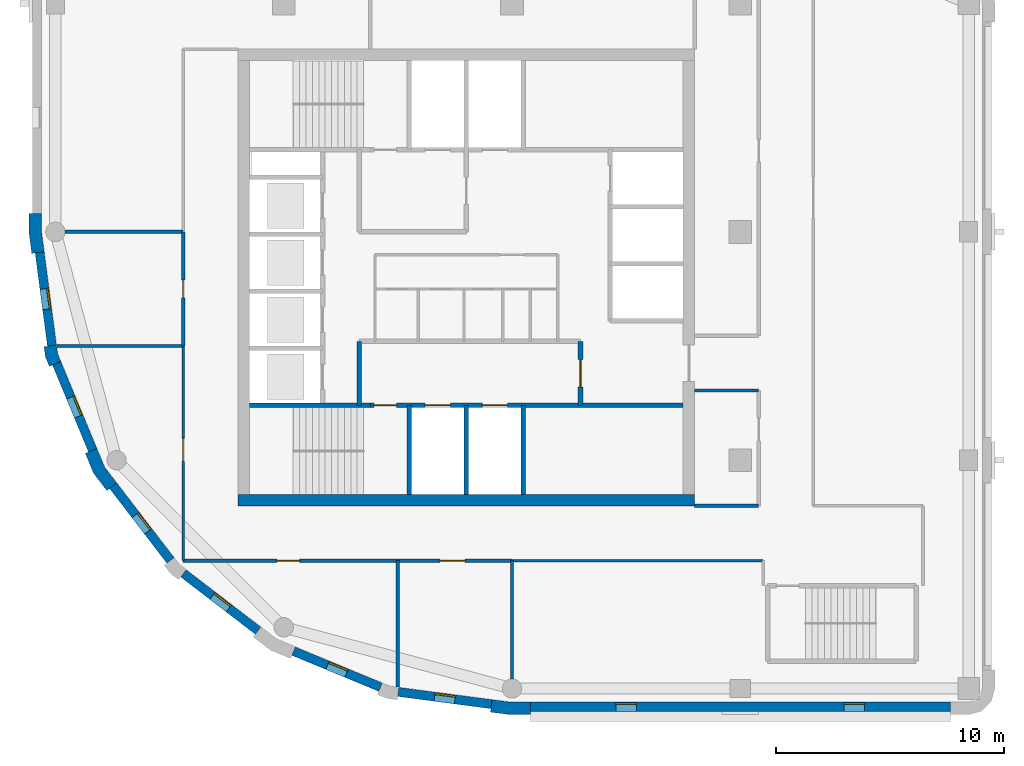
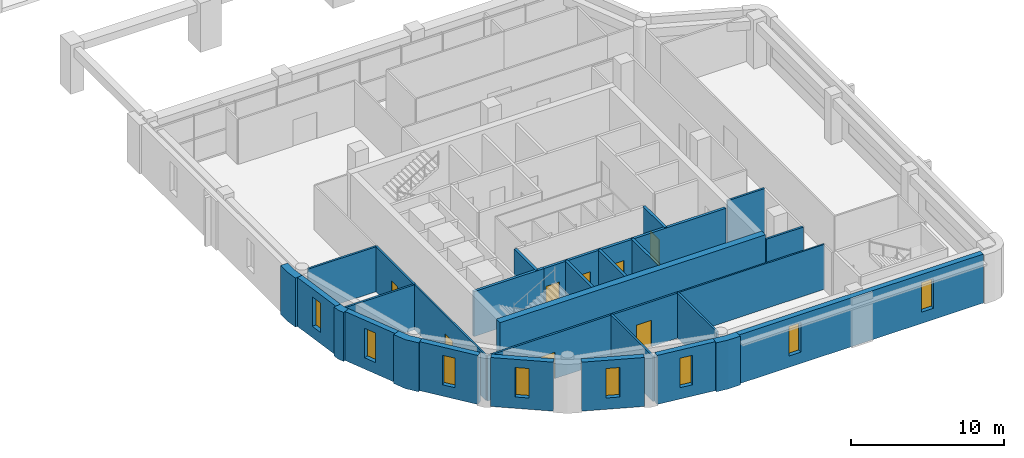
# One storey, part 5 of 11: 29 walls, 8 doors, 8 windows, 16 openings.
"""IFC4 building model written with IfcOpenShell, lengths in metres."""

from ifc_helpers import new_model, si_unit, direction, frame, frame_2d, origin, place, context, subcontext, project, spatial, polyline, rectangle, outline, extrude, material, layer, layer_set, type_object, element, fill, save


model = new_model("IFC4")

# Units and contexts
model_context = context("Model", 3, precision=1e-05, world=origin(), true_north=direction((0.0, 1.0)))
body_context = subcontext(model_context, "Body", "Model", "MODEL_VIEW")
ifc_project = project(units=[si_unit("LENGTHUNIT", "METRE"), si_unit("AREAUNIT", "SQUARE_METRE"), si_unit("VOLUMEUNIT", "CUBIC_METRE"), si_unit("PLANEANGLEUNIT", "RADIAN"), si_unit("MASSUNIT", "GRAM", prefix="KILO")], contexts=[model_context])

# Site, building, storey
site_placement = place(None, origin())
site = spatial("IfcSite", under=ifc_project, at=site_placement, CompositionType="ELEMENT")
building_placement = place(site_placement, origin())
building = spatial("IfcBuilding", under=site, at=building_placement, Name="Qaws Garden Tower", CompositionType="ELEMENT")
storey_placement = place(building_placement, frame((0.0, 0.0, 325.5)))
storey = spatial("IfcBuildingStorey", under=building, at=storey_placement, Name="L79", CompositionType="ELEMENT", Elevation=325.5)

# Wall, openings, windows
ifc_material_1 = material(Name="Clay facing brick masonry", Category="masonry")
ifc_layer_1 = layer(ifc_material_1, 0.39990234375)
ifc_layer_set_1 = layer_set([ifc_layer_1], Name="Clay facing brick masonry")
wall_type_1 = type_object("IfcWallType", Name="Brick infill wall 400", PredefinedType="SOLIDWALL", material=ifc_layer_set_1)
wall_1_placement = place(storey_placement, frame((20.800048828125, -0.800048828125, 0.0), z_axis=(0.0, 0.0, 1.0), x_axis=(1.0, 0.0, 0.0)))
wall_1 = element("IfcWall", 1, at=wall_1_placement, inside=storey, type_object=wall_type_1, Name="E-L79-infill-00", PredefinedType="SOLIDWALL", context=body_context, shape_type="SweptSolid", body=[
    extrude(rectangle(XDim=18.39990234375, YDim=0.39990234375, at=frame_2d((9.199951171875, 0.0))), origin(), (0.0, 0.0, 1.0), 3.89990234375),
])
opening_1_placement = place(wall_1_placement, frame((3.75, 0.0, 0.89990234375)))
opening_1 = element("IfcOpeningElement", 2, at=opening_1_placement, cuts=wall_1, Name="Opening W09", PredefinedType="OPENING", context=body_context, shape_type="SweptSolid", body=[
    extrude(rectangle(XDim=0.89990234375, YDim=2.35009765625, at=frame_2d((0.449951171875, 1.175048828125))), frame((0.0, 0.2099609375, 0.0), z_axis=(0.0, -1.0, 0.0), x_axis=(1.0, 0.0, 0.0)), (0.0, 0.0, 1.0), 0.419921875),
])
opening_2_placement = place(wall_1_placement, frame((13.75, 0.0, 0.89990234375)))
opening_2 = element("IfcOpeningElement", 3, at=opening_2_placement, cuts=wall_1, Name="Opening W09", PredefinedType="OPENING", context=body_context, shape_type="SweptSolid", body=[
    extrude(rectangle(XDim=0.89990234375, YDim=2.35009765625, at=frame_2d((0.449951171875, 1.175048828125))), frame((0.0, 0.2099609375, 0.0), z_axis=(0.0, -1.0, 0.0), x_axis=(1.0, 0.0, 0.0)), (0.0, 0.0, 1.0), 0.419921875),
])
ifc_material_2 = material(Name="Aluminium framed window, clear glazing", Category="aluminium")
window_type = type_object("IfcWindowType", Name="Slit window 900 x 2350", PartitioningType="SINGLE_PANEL", PredefinedType="WINDOW", material=ifc_material_2)
window_1_placement = place(opening_1_placement, origin())
window_1 = element("IfcWindow", 4, at=window_1_placement, inside=storey, type_object=window_type, Name="E-L79-window-00-0", OverallHeight=2.35009765625, OverallWidth=0.89990234375, PartitioningType="SINGLE_PANEL", PredefinedType="WINDOW", context=body_context, shape_type="SweptSolid", body=[
    extrude(rectangle(XDim=0.89990234375, YDim=2.35009765625, at=frame_2d((0.449951171875, 1.175048828125))), frame((0.0, 0.159912109375, 0.0), z_axis=(0.0, -1.0, 0.0), x_axis=(1.0, 0.0, 0.0)), (0.0, 0.0, 1.0), 0.06005859375),
])
fill(opening_1, window_1)
window_2_placement = place(opening_2_placement, origin())
window_2 = element("IfcWindow", 5, at=window_2_placement, inside=storey, type_object=window_type, Name="E-L79-window-01-0", OverallHeight=2.35009765625, OverallWidth=0.89990234375, PartitioningType="SINGLE_PANEL", PredefinedType="WINDOW", context=body_context, shape_type="SweptSolid", body=[
    extrude(rectangle(XDim=0.89990234375, YDim=2.35009765625, at=frame_2d((0.449951171875, 1.175048828125))), frame((0.0, 0.159912109375, 0.0), z_axis=(0.0, -1.0, 0.0), x_axis=(1.0, 0.0, 0.0)), (0.0, 0.0, 1.0), 0.06005859375),
])
fill(opening_2, window_2)

# Wall, opening, window
wall_2_placement = place(storey_placement, frame((-0.688720703125, 19.102294921875, 0.0), z_axis=(0.0, 0.0, 1.0), x_axis=(0.130514280502, -0.991446429508, 0.0)))
wall_2 = element("IfcWall", 6, at=wall_2_placement, inside=storey, type_object=wall_type_1, Name="E-L79-infill-21", PredefinedType="SOLIDWALL", context=body_context, shape_type="SweptSolid", body=[
    extrude(rectangle(XDim=4.120849609375, YDim=0.39990234375, at=frame_2d((2.060546875, 0.0))), origin(), (0.0, 0.0, 1.0), 3.89990234375),
])
opening_3_placement = place(wall_2_placement, frame((1.610595703125, 0.0, 0.89990234375)))
opening_3 = element("IfcOpeningElement", 7, at=opening_3_placement, cuts=wall_2, Name="Opening W09", PredefinedType="OPENING", context=body_context, shape_type="SweptSolid", body=[
    extrude(rectangle(XDim=0.89990234375, YDim=2.35009765625, at=frame_2d((0.449951171875, 1.175048828125))), frame((0.0, 0.2099609375, 0.0), z_axis=(0.0, -1.0, 0.0), x_axis=(1.0, 0.0, 0.0)), (0.0, 0.0, 1.0), 0.419921875),
])
window_3_placement = place(opening_3_placement, origin())
window_3 = element("IfcWindow", 8, at=window_3_placement, inside=storey, type_object=window_type, Name="E-L79-window-21-0", OverallHeight=2.35009765625, OverallWidth=0.89990234375, PartitioningType="SINGLE_PANEL", PredefinedType="WINDOW", context=body_context, shape_type="SweptSolid", body=[
    extrude(rectangle(XDim=0.89990234375, YDim=2.35009765625, at=frame_2d((0.449951171875, 1.175048828125))), frame((0.0, 0.159912109375, 0.0), z_axis=(0.0, -1.0, 0.0), x_axis=(1.0, 0.0, 0.0)), (0.0, 0.0, 1.0), 0.06005859375),
])
fill(opening_3, window_3)

wall_3_placement = place(storey_placement, frame((0.05712890625, 14.240234375, 0.0), z_axis=(0.0, 0.0, 1.0), x_axis=(0.382721546029, -0.923863744394, 0.0)))
wall_3 = element("IfcWall", 9, at=wall_3_placement, inside=storey, type_object=wall_type_1, Name="E-L79-infill-22", PredefinedType="SOLIDWALL", context=body_context, shape_type="SweptSolid", body=[
    extrude(rectangle(XDim=4.120849609375, YDim=0.39990234375, at=frame_2d((2.060546875, 0.0))), origin(), (0.0, 0.0, 1.0), 3.89990234375),
])
opening_4_placement = place(wall_3_placement, frame((1.610595703125, 0.0, 0.89990234375)))
opening_4 = element("IfcOpeningElement", 10, at=opening_4_placement, cuts=wall_3, Name="Opening W09", PredefinedType="OPENING", context=body_context, shape_type="SweptSolid", body=[
    extrude(rectangle(XDim=0.89990234375, YDim=2.35009765625, at=frame_2d((0.449951171875, 1.175048828125))), frame((0.0, 0.2099609375, 0.0), z_axis=(0.0, -1.0, 0.0), x_axis=(1.0, 0.0, 0.0)), (0.0, 0.0, 1.0), 0.419921875),
])
window_4_placement = place(opening_4_placement, origin())
window_4 = element("IfcWindow", 11, at=window_4_placement, inside=storey, type_object=window_type, Name="E-L79-window-22-0", OverallHeight=2.35009765625, OverallWidth=0.89990234375, PartitioningType="SINGLE_PANEL", PredefinedType="WINDOW", context=body_context, shape_type="SweptSolid", body=[
    extrude(rectangle(XDim=0.89990234375, YDim=2.35009765625, at=frame_2d((0.449951171875, 1.175048828125))), frame((0.0, 0.159912109375, 0.0), z_axis=(0.0, -1.0, 0.0), x_axis=(1.0, 0.0, 0.0)), (0.0, 0.0, 1.0), 0.06005859375),
])
fill(opening_4, window_4)

wall_4_placement = place(storey_placement, frame((2.53173828125, 8.87841796875, 0.0), z_axis=(0.0, 0.0, 1.0), x_axis=(0.608759824817, -0.793354571229, 0.0)))
wall_4 = element("IfcWall", 12, at=wall_4_placement, inside=storey, type_object=wall_type_1, Name="E-L79-infill-23", PredefinedType="SOLIDWALL", context=body_context, shape_type="SweptSolid", body=[
    extrude(rectangle(XDim=4.12109375, YDim=0.39990234375, at=frame_2d((2.060546875, 0.0))), origin(), (0.0, 0.0, 1.0), 3.89990234375),
])
opening_5_placement = place(wall_4_placement, frame((1.610595703125, 0.0, 0.89990234375)))
opening_5 = element("IfcOpeningElement", 13, at=opening_5_placement, cuts=wall_4, Name="Opening W09", PredefinedType="OPENING", context=body_context, shape_type="SweptSolid", body=[
    extrude(rectangle(XDim=0.89990234375, YDim=2.35009765625, at=frame_2d((0.449951171875, 1.175048828125))), frame((0.0, 0.2099609375, 0.0), z_axis=(0.0, -1.0, 0.0), x_axis=(1.0, 0.0, 0.0)), (0.0, 0.0, 1.0), 0.419921875),
])
window_5_placement = place(opening_5_placement, origin())
window_5 = element("IfcWindow", 14, at=window_5_placement, inside=storey, type_object=window_type, Name="E-L79-window-23-0", OverallHeight=2.35009765625, OverallWidth=0.89990234375, PartitioningType="SINGLE_PANEL", PredefinedType="WINDOW", context=body_context, shape_type="SweptSolid", body=[
    extrude(rectangle(XDim=0.89990234375, YDim=2.35009765625, at=frame_2d((0.449951171875, 1.175048828125))), frame((0.0, 0.159912109375, 0.0), z_axis=(0.0, -1.0, 0.0), x_axis=(1.0, 0.0, 0.0)), (0.0, 0.0, 1.0), 0.06005859375),
])
fill(opening_5, window_5)

wall_5_placement = place(storey_placement, frame((5.60888671875, 5.04052734375, 0.0), z_axis=(0.0, 0.0, 1.0), x_axis=(0.793354571229, -0.608759824817, 0.0)))
wall_5 = element("IfcWall", 15, at=wall_5_placement, inside=storey, type_object=wall_type_1, Name="E-L79-infill-24", PredefinedType="SOLIDWALL", context=body_context, shape_type="SweptSolid", body=[
    extrude(rectangle(XDim=4.12109375, YDim=0.39990234375, at=frame_2d((2.060546875, 0.0))), origin(), (0.0, 0.0, 1.0), 3.89990234375),
])
opening_6_placement = place(wall_5_placement, frame((1.610595703125, 0.0, 0.89990234375)))
opening_6 = element("IfcOpeningElement", 16, at=opening_6_placement, cuts=wall_5, Name="Opening W09", PredefinedType="OPENING", context=body_context, shape_type="SweptSolid", body=[
    extrude(rectangle(XDim=0.89990234375, YDim=2.35009765625, at=frame_2d((0.449951171875, 1.175048828125))), frame((0.0, 0.2099609375, 0.0), z_axis=(0.0, -1.0, 0.0), x_axis=(1.0, 0.0, 0.0)), (0.0, 0.0, 1.0), 0.419921875),
])
window_6_placement = place(opening_6_placement, origin())
window_6 = element("IfcWindow", 17, at=window_6_placement, inside=storey, type_object=window_type, Name="E-L79-window-24-0", OverallHeight=2.35009765625, OverallWidth=0.89990234375, PartitioningType="SINGLE_PANEL", PredefinedType="WINDOW", context=body_context, shape_type="SweptSolid", body=[
    extrude(rectangle(XDim=0.89990234375, YDim=2.35009765625, at=frame_2d((0.449951171875, 1.175048828125))), frame((0.0, 0.159912109375, 0.0), z_axis=(0.0, -1.0, 0.0), x_axis=(1.0, 0.0, 0.0)), (0.0, 0.0, 1.0), 0.06005859375),
])
fill(opening_6, window_6)

wall_6_placement = place(storey_placement, frame((10.43310546875, 1.63427734375, 0.0), z_axis=(0.0, 0.0, 1.0), x_axis=(0.923863744394, -0.382721546029, 0.0)))
wall_6 = element("IfcWall", 18, at=wall_6_placement, inside=storey, type_object=wall_type_1, Name="E-L79-infill-25", PredefinedType="SOLIDWALL", context=body_context, shape_type="SweptSolid", body=[
    extrude(rectangle(XDim=4.120849609375, YDim=0.39990234375, at=frame_2d((2.060546875, 0.0))), origin(), (0.0, 0.0, 1.0), 3.89990234375),
])
opening_7_placement = place(wall_6_placement, frame((1.610595703125, 0.0, 0.89990234375)))
opening_7 = element("IfcOpeningElement", 19, at=opening_7_placement, cuts=wall_6, Name="Opening W09", PredefinedType="OPENING", context=body_context, shape_type="SweptSolid", body=[
    extrude(rectangle(XDim=0.89990234375, YDim=2.35009765625, at=frame_2d((0.449951171875, 1.175048828125))), frame((0.0, 0.2099609375, 0.0), z_axis=(0.0, -1.0, 0.0), x_axis=(1.0, 0.0, 0.0)), (0.0, 0.0, 1.0), 0.419921875),
])
window_7_placement = place(opening_7_placement, origin())
window_7 = element("IfcWindow", 20, at=window_7_placement, inside=storey, type_object=window_type, Name="E-L79-window-25-0", OverallHeight=2.35009765625, OverallWidth=0.89990234375, PartitioningType="SINGLE_PANEL", PredefinedType="WINDOW", context=body_context, shape_type="SweptSolid", body=[
    extrude(rectangle(XDim=0.89990234375, YDim=2.35009765625, at=frame_2d((0.449951171875, 1.175048828125))), frame((0.0, 0.159912109375, 0.0), z_axis=(0.0, -1.0, 0.0), x_axis=(1.0, 0.0, 0.0)), (0.0, 0.0, 1.0), 0.06005859375),
])
fill(opening_7, window_7)

wall_7_placement = place(storey_placement, frame((15.0166015625, -0.15087890625, 0.0), z_axis=(0.0, 0.0, 1.0), x_axis=(0.991446429508, -0.130514280502, 0.0)))
wall_7 = element("IfcWall", 21, at=wall_7_placement, inside=storey, type_object=wall_type_1, Name="E-L79-infill-26", PredefinedType="SOLIDWALL", context=body_context, shape_type="SweptSolid", body=[
    extrude(rectangle(XDim=4.120849609375, YDim=0.39990234375, at=frame_2d((2.060546875, 0.0))), origin(), (0.0, 0.0, 1.0), 3.89990234375),
])
opening_8_placement = place(wall_7_placement, frame((1.610595703125, 0.0, 0.89990234375)))
opening_8 = element("IfcOpeningElement", 22, at=opening_8_placement, cuts=wall_7, Name="Opening W09", PredefinedType="OPENING", context=body_context, shape_type="SweptSolid", body=[
    extrude(rectangle(XDim=0.89990234375, YDim=2.35009765625, at=frame_2d((0.449951171875, 1.175048828125))), frame((0.0, 0.2099609375, 0.0), z_axis=(0.0, -1.0, 0.0), x_axis=(1.0, 0.0, 0.0)), (0.0, 0.0, 1.0), 0.419921875),
])
window_8_placement = place(opening_8_placement, origin())
window_8 = element("IfcWindow", 23, at=window_8_placement, inside=storey, type_object=window_type, Name="E-L79-window-26-0", OverallHeight=2.35009765625, OverallWidth=0.89990234375, PartitioningType="SINGLE_PANEL", PredefinedType="WINDOW", context=body_context, shape_type="SweptSolid", body=[
    extrude(rectangle(XDim=0.89990234375, YDim=2.35009765625, at=frame_2d((0.449951171875, 1.175048828125))), frame((0.0, 0.159912109375, 0.0), z_axis=(0.0, -1.0, 0.0), x_axis=(1.0, 0.0, 0.0)), (0.0, 0.0, 1.0), 0.06005859375),
])
fill(opening_8, window_8)

# Walls
ifc_material_3 = material(Name="Clay facing brick masonry", Category="masonry")
ifc_layer_2 = layer(ifc_material_3, 0.550048828125)
ifc_layer_set_2 = layer_set([ifc_layer_2], Name="Clay facing brick masonry")
wall_type_2 = type_object("IfcWallType", Name="Brick kink pier 550 x 600", PredefinedType="SOLIDWALL", material=ifc_layer_set_2)
placement = place(storey_placement, origin())
element("IfcWall", 24, at=placement, inside=storey, type_object=wall_type_2, Name="E-L79-pier-22", PredefinedType="SOLIDWALL", context=body_context, shape_type="SweptSolid", body=[
    extrude(outline(polyline([(-0.34912109375, 14.990478515625), (-0.497802734375, 14.970947265625), (-0.43896484375, 14.5234375), (-0.26611328125, 14.1064453125), (-0.127685546875, 14.163818359375), (0.241943359375, 14.31689453125), (0.096923828125, 14.6669921875), (0.04736328125, 15.042724609375), (-0.34912109375, 14.990478515625)])), origin(), (0.0, 0.0, 1.0), 3.89990234375),
])
ifc_material_4 = material(Name="Clay facing brick masonry", Category="masonry")
ifc_layer_3 = layer(ifc_material_4, 0.550048828125)
ifc_layer_set_3 = layer_set([ifc_layer_3], Name="Clay facing brick masonry")
wall_type_3 = type_object("IfcWallType", Name="Brick pier 550 x 1600", PredefinedType="SOLIDWALL", material=ifc_layer_set_3)
element("IfcWall", 25, at=placement, inside=storey, type_object=wall_type_3, Name="E-L79-pier-00", PredefinedType="SOLIDWALL", context=body_context, shape_type="SweptSolid", body=[
    extrude(outline(polyline([(19.076416015625, -0.886962890625), (19.056640625, -1.03564453125), (19.924560546875, -1.14990234375), (20.800048828125, -1.14990234375), (20.800048828125, -1.0), (20.800048828125, -0.60009765625), (19.960693359375, -0.60009765625), (19.12841796875, -0.490478515625), (19.076416015625, -0.886962890625)])), origin(), (0.0, 0.0, 1.0), 3.89990234375),
])
element("IfcWall", 26, at=placement, inside=storey, type_object=wall_type_3, Name="E-L79-pier-21", PredefinedType="SOLIDWALL", context=body_context, shape_type="SweptSolid", body=[
    extrude(outline(polyline([(-1.0, 20.800048828125), (-1.14990234375, 20.800048828125), (-1.14990234375, 19.924560546875), (-1.03564453125, 19.056640625), (-0.886962890625, 19.076416015625), (-0.490478515625, 19.12841796875), (-0.60009765625, 19.960693359375), (-0.60009765625, 20.800048828125), (-1.0, 20.800048828125)])), origin(), (0.0, 0.0, 1.0), 3.89990234375),
])
element("IfcWall", 27, at=placement, inside=storey, type_object=wall_type_3, Name="E-L79-pier-23", PredefinedType="SOLIDWALL", context=body_context, shape_type="SweptSolid", body=[
    extrude(outline(polyline([(1.449462890625, 10.3564453125), (1.310791015625, 10.299072265625), (1.675048828125, 9.419921875), (2.254150390625, 8.665283203125), (2.373046875, 8.756591796875), (2.6904296875, 9.0), (2.1552734375, 9.697509765625), (1.819091796875, 10.509521484375), (1.449462890625, 10.3564453125)])), origin(), (0.0, 0.0, 1.0), 3.89990234375),
])
ifc_material_5 = material(Name="Concrete C60", Category="concrete")
ifc_layer_4 = layer(ifc_material_5, 0.199951171875)
ifc_layer_set_4 = layer_set([ifc_layer_4], Name="Concrete C60")
wall_type_4 = type_object("IfcWallType", Name="Core shaft wall 200 C60", PredefinedType="SHEAR", material=ifc_layer_set_4)
wall_12_placement = place(storey_placement, frame((8.5, 12.39990234375, 0.0), z_axis=(0.0, 0.0, 1.0), x_axis=(1.0, 0.0, 0.0)))
element("IfcWall", 28, at=wall_12_placement, inside=storey, type_object=wall_type_4, Name="Shaft wall", PredefinedType="SHEAR", context=body_context, shape_type="SweptSolid", body=[
    extrude(rectangle(XDim=5.300048828125, YDim=0.199951171875, at=frame_2d((2.64990234375, 0.0))), origin(), (0.0, 0.0, 1.0), 3.580078125),
])

# Wall, openings, doors
wall_13_placement = place(storey_placement, frame((13.800048828125, 12.39990234375, 0.0), z_axis=(0.0, 0.0, 1.0), x_axis=(1.0, 0.0, 0.0)))
wall_13 = element("IfcWall", 29, at=wall_13_placement, inside=storey, type_object=wall_type_4, Name="Shaft wall", PredefinedType="SHEAR", context=body_context, shape_type="SweptSolid", body=[
    extrude(rectangle(XDim=13.699951171875, YDim=0.199951171875, at=frame_2d((6.85009765625, 0.0))), origin(), (0.0, 0.0, 1.0), 3.580078125),
])
opening_9_placement = place(wall_13_placement, frame((2.39990234375, 0.0, 0.0)))
opening_9 = element("IfcOpeningElement", 30, at=opening_9_placement, cuts=wall_13, Name="Opening LD06", PredefinedType="OPENING", context=body_context, shape_type="SweptSolid", body=[
    extrude(rectangle(XDim=1.10009765625, YDim=2.10009765625, at=frame_2d((0.550048828125, 1.050048828125))), frame((0.0, 0.10986328125, 0.0), z_axis=(0.0, -1.0, 0.0), x_axis=(1.0, 0.0, 0.0)), (0.0, 0.0, 1.0), 0.219970703125),
])
opening_10_placement = place(wall_13_placement, frame((4.89990234375, 0.0, 0.0)))
opening_10 = element("IfcOpeningElement", 31, at=opening_10_placement, cuts=wall_13, Name="Opening LD07", PredefinedType="OPENING", context=body_context, shape_type="SweptSolid", body=[
    extrude(rectangle(XDim=1.10009765625, YDim=2.10009765625, at=frame_2d((0.550048828125, 1.050048828125))), frame((0.0, 0.10986328125, 0.0), z_axis=(0.0, -1.0, 0.0), x_axis=(1.0, 0.0, 0.0)), (0.0, 0.0, 1.0), 0.219970703125),
])
opening_11_placement = place(wall_13_placement, frame((0.14990234375, 0.0, 0.0)))
opening_11 = element("IfcOpeningElement", 32, at=opening_11_placement, cuts=wall_13, Name="Opening SD10", PredefinedType="OPENING", context=body_context, shape_type="SweptSolid", body=[
    extrude(rectangle(XDim=1.0, YDim=2.10009765625, at=frame_2d((0.5, 1.050048828125))), frame((0.0, 0.10986328125, 0.0), z_axis=(0.0, -1.0, 0.0), x_axis=(1.0, 0.0, 0.0)), (0.0, 0.0, 1.0), 0.219970703125),
])
ifc_material_6 = material(Name="Steel S235", Category="steel")
door_type_1 = type_object("IfcDoorType", Name="Landing door 1100x2100", OperationType="DOUBLE_DOOR_SLIDING", PredefinedType="DOOR", material=ifc_material_6)
door_1_placement = place(opening_9_placement, origin())
door_1 = element("IfcDoor", 33, at=door_1_placement, inside=storey, type_object=door_type_1, Name="Lift FF1 landing door", OperationType="DOUBLE_DOOR_SLIDING", OverallHeight=2.10009765625, OverallWidth=1.10009765625, PredefinedType="DOOR", context=body_context, shape_type="SweptSolid", body=[
    extrude(rectangle(XDim=1.10009765625, YDim=2.10009765625, at=frame_2d((0.550048828125, 1.050048828125))), frame((0.0, 0.02490234375, 0.0), z_axis=(0.0, -1.0, 0.0), x_axis=(1.0, 0.0, 0.0)), (0.0, 0.0, 1.0), 0.050048828125),
])
fill(opening_9, door_1)
door_2_placement = place(opening_10_placement, origin())
door_2 = element("IfcDoor", 34, at=door_2_placement, inside=storey, type_object=door_type_1, Name="Lift FF2 landing door", OperationType="DOUBLE_DOOR_SLIDING", OverallHeight=2.10009765625, OverallWidth=1.10009765625, PredefinedType="DOOR", context=body_context, shape_type="SweptSolid", body=[
    extrude(rectangle(XDim=1.10009765625, YDim=2.10009765625, at=frame_2d((0.550048828125, 1.050048828125))), frame((0.0, 0.02490234375, 0.0), z_axis=(0.0, -1.0, 0.0), x_axis=(1.0, 0.0, 0.0)), (0.0, 0.0, 1.0), 0.050048828125),
])
fill(opening_10, door_2)
ifc_material_7 = material(Name="Steel S235", Category="steel")
door_type_2 = type_object("IfcDoorType", Name="Stair door 1000x2100", OperationType="SINGLE_SWING_RIGHT", PredefinedType="DOOR", material=ifc_material_7)
door_3_placement = place(opening_11_placement, frame((1.0, 0.0, 0.0), z_axis=(0.0, 0.0, 1.0), x_axis=(-1.0, 0.0, 0.0)))
door_3 = element("IfcDoor", 35, at=door_3_placement, inside=storey, type_object=door_type_2, Name="Stair 1 door", OperationType="SINGLE_SWING_LEFT", OverallHeight=2.10009765625, OverallWidth=1.0, PredefinedType="DOOR", context=body_context, shape_type="SweptSolid", body=[
    extrude(rectangle(XDim=1.0, YDim=2.10009765625, at=frame_2d((0.5, 1.050048828125))), frame((0.0, 0.02490234375, 0.0), z_axis=(0.0, -1.0, 0.0), x_axis=(1.0, 0.0, 0.0)), (0.0, 0.0, 1.0), 0.050048828125),
])
fill(opening_11, door_3)

# Walls
wall_14_placement = place(storey_placement, frame((13.300048828125, 12.39990234375, 0.0), z_axis=(0.0, 0.0, 1.0), x_axis=(0.0, 1.0, 0.0)))
element("IfcWall", 36, at=wall_14_placement, inside=storey, type_object=wall_type_4, Name="Shaft wall", PredefinedType="SHEAR", context=body_context, shape_type="SweptSolid", body=[
    extrude(rectangle(XDim=2.800048828125, YDim=0.199951171875, at=frame_2d((1.39990234375, 0.0))), origin(), (0.0, 0.0, 1.0), 3.580078125),
])
for number, where, z_axis, x_axis, name in (
    (37, (15.5, 8.5, 0.0), (0.0, 0.0, 1.0), (0.0, 1.0, 0.0), "Shaft wall"),
    (38, (18.0, 8.5, 0.0), (0.0, 0.0, 1.0), (0.0, 1.0, 0.0), "Shaft wall"),
    (39, (20.5, 8.5, 0.0), (0.0, 0.0, 1.0), (0.0, 1.0, 0.0), "Shaft wall"),
):
    element("IfcWall", number, at=place(storey_placement, frame(where, z_axis=z_axis, x_axis=x_axis)), inside=storey, type_object=wall_type_4, Name=name, PredefinedType="SHEAR", context=body_context, shape_type="SweptSolid", body=[
        extrude(rectangle(XDim=3.89990234375, YDim=0.199951171875, at=frame_2d((1.949951171875, 0.0))), origin(), (0.0, 0.0, 1.0), 3.580078125),
    ])

# Wall, opening, door
wall_15_placement = place(storey_placement, frame((23.0, 12.39990234375, 0.0), z_axis=(0.0, 0.0, 1.0), x_axis=(0.0, 1.0, 0.0)))
wall_15 = element("IfcWall", 40, at=wall_15_placement, inside=storey, type_object=wall_type_4, Name="Shaft wall", PredefinedType="SHEAR", context=body_context, shape_type="SweptSolid", body=[
    extrude(rectangle(XDim=2.800048828125, YDim=0.199951171875, at=frame_2d((1.39990234375, 0.0))), origin(), (0.0, 0.0, 1.0), 3.580078125),
])
opening_12_placement = place(wall_15_placement, frame((0.800048828125, 0.0, 0.0)))
opening_12 = element("IfcOpeningElement", 41, at=opening_12_placement, cuts=wall_15, Name="Opening FD15", PredefinedType="OPENING", context=body_context, shape_type="SweptSolid", body=[
    extrude(rectangle(XDim=1.199951171875, YDim=2.10009765625, at=frame_2d((0.60009765625, 1.050048828125))), frame((0.0, 0.10986328125, 0.0), z_axis=(0.0, -1.0, 0.0), x_axis=(1.0, 0.0, 0.0)), (0.0, 0.0, 1.0), 0.219970703125),
])
ifc_material_8 = material(Name="Steel S235", Category="steel")
door_type_3 = type_object("IfcDoorType", Name="Lobby door 1200x2100", OperationType="DOUBLE_DOOR_SINGLE_SWING", PredefinedType="DOOR", material=ifc_material_8)
door_4_placement = place(opening_12_placement, origin())
door_4 = element("IfcDoor", 42, at=door_4_placement, inside=storey, type_object=door_type_3, Name="Fire-fighting lobby door", OperationType="DOUBLE_DOOR_SINGLE_SWING", OverallHeight=2.10009765625, OverallWidth=1.199951171875, PredefinedType="DOOR", context=body_context, shape_type="SweptSolid", body=[
    extrude(rectangle(XDim=1.199951171875, YDim=2.10009765625, at=frame_2d((0.60009765625, 1.050048828125))), frame((0.0, 0.02490234375, 0.0), z_axis=(0.0, -1.0, 0.0), x_axis=(1.0, 0.0, 0.0)), (0.0, 0.0, 1.0), 0.050048828125),
])
fill(opening_12, door_4)

# Wall
ifc_material_9 = material(Name="Concrete C60", Category="concrete")
ifc_layer_5 = layer(ifc_material_9, 0.5)
ifc_layer_set_5 = layer_set([ifc_layer_5], Name="Concrete C60")
wall_type_5 = type_object("IfcWallType", Name="Core wall 500 C60", PredefinedType="SHEAR", material=ifc_layer_set_5)
wall_16_placement = place(storey_placement, frame((8.0, 8.25, 0.0), z_axis=(0.0, 0.0, 1.0), x_axis=(1.0, 0.0, 0.0)))
element("IfcWall", 43, at=wall_16_placement, inside=storey, type_object=wall_type_5, Name="Core wall L79 south", PredefinedType="SHEAR", context=body_context, shape_type="SweptSolid", body=[
    extrude(rectangle(XDim=20.0, YDim=0.5, at=frame_2d((10.0, 0.0))), origin(), (0.0, 0.0, 1.0), 3.89990234375),
])

# Wall, opening, door
ifc_material_10 = material(Name="Glass and aluminium framing", Category="aluminium")
ifc_layer_6 = layer(ifc_material_10, 0.1201171875)
ifc_layer_set_6 = layer_set([ifc_layer_6], Name="Glass and aluminium framing")
wall_type_6 = type_object("IfcWallType", Name="GLAZED PARTITION 120 EI 30", PredefinedType="PARTITIONING", material=ifc_layer_set_6)
wall_17_placement = place(storey_placement, frame((5.60009765625, 5.60009765625, 0.0), z_axis=(0.0, 0.0, 1.0), x_axis=(0.0, 1.0, 0.0)))
wall_17 = element("IfcWall", 44, at=wall_17_placement, inside=storey, type_object=wall_type_6, Name="O-L79-wall-024", PredefinedType="PARTITIONING", context=body_context, shape_type="SweptSolid", body=[
    extrude(rectangle(XDim=9.39990234375, YDim=0.1201171875, at=frame_2d((4.699951171875, 0.0))), origin(), (0.0, 0.0, 1.0), 3.580078125),
])
opening_13_placement = place(wall_17_placement, frame((4.35009765625, 0.0, 0.0)))
opening_13 = element("IfcOpeningElement", 45, at=opening_13_placement, cuts=wall_17, Name="Opening C801", PredefinedType="OPENING", context=body_context, shape_type="SweptSolid", body=[
    extrude(rectangle(XDim=1.0, YDim=2.10009765625, at=frame_2d((0.5, 1.050048828125))), frame((0.0, 0.070068359375, 0.0), z_axis=(0.0, -1.0, 0.0), x_axis=(1.0, 0.0, 0.0)), (0.0, 0.0, 1.0), 0.14013671875),
])
ifc_material_11 = material(Name="Timber door leaf", Category="wood")
door_type_4 = type_object("IfcDoorType", Name="TENANCY ENTRANCE DOOR 1000 X 2100", OperationType="SINGLE_SWING_LEFT", PredefinedType="DOOR", material=ifc_material_11)
door_5_placement = place(opening_13_placement, origin())
door_5 = element("IfcDoor", 46, at=door_5_placement, inside=storey, type_object=door_type_4, Name="O-L79-door-001", OperationType="SINGLE_SWING_RIGHT", OverallHeight=2.10009765625, OverallWidth=1.0, PredefinedType="DOOR", context=body_context, shape_type="SweptSolid", body=[
    extrude(rectangle(XDim=1.0, YDim=2.10009765625, at=frame_2d((0.5, 1.050048828125))), frame((0.0, 0.02490234375, 0.0), z_axis=(0.0, -1.0, 0.0), x_axis=(1.0, 0.0, 0.0)), (0.0, 0.0, 1.0), 0.050048828125),
])
fill(opening_13, door_5)

# Wall
wall_18_placement = place(storey_placement, frame((20.0, 5.60009765625, 0.0), z_axis=(0.0, 0.0, 1.0), x_axis=(1.0, 0.0, 0.0)))
element("IfcWall", 47, at=wall_18_placement, inside=storey, type_object=wall_type_6, Name="O-L79-wall-033", PredefinedType="PARTITIONING", context=body_context, shape_type="SweptSolid", body=[
    extrude(rectangle(XDim=11.0, YDim=0.1201171875, at=frame_2d((5.5, 0.0))), origin(), (0.0, 0.0, 1.0), 3.580078125),
])

# Wall, opening, door
ifc_material_12 = material(Name="Gypsum board partition")
ifc_layer_7 = layer(ifc_material_12, 0.14990234375)
ifc_layer_set_7 = layer_set([ifc_layer_7], Name="Gypsum board partition")
wall_type_7 = type_object("IfcWallType", Name="PARTITION 150 EI 60", PredefinedType="PARTITIONING", material=ifc_layer_set_7)
wall_19_placement = place(storey_placement, frame((5.60009765625, 15.0, 0.0), z_axis=(0.0, 0.0, 1.0), x_axis=(0.0, 1.0, 0.0)))
wall_19 = element("IfcWall", 48, at=wall_19_placement, inside=storey, type_object=wall_type_7, Name="O-L79-wall-001", PredefinedType="PARTITIONING", context=body_context, shape_type="SweptSolid", body=[
    extrude(rectangle(XDim=5.0, YDim=0.14990234375, at=frame_2d((2.5, 0.0))), origin(), (0.0, 0.0, 1.0), 3.580078125),
])
opening_14_placement = place(wall_19_placement, frame((2.10009765625, 0.0, 0.0)))
opening_14 = element("IfcOpeningElement", 49, at=opening_14_placement, cuts=wall_19, Name="Opening C802", PredefinedType="OPENING", context=body_context, shape_type="SweptSolid", body=[
    extrude(rectangle(XDim=0.800048828125, YDim=2.10009765625, at=frame_2d((0.39990234375, 1.050048828125))), frame((0.0, 0.0849609375, 0.0), z_axis=(0.0, -1.0, 0.0), x_axis=(1.0, 0.0, 0.0)), (0.0, 0.0, 1.0), 0.169921875),
])
ifc_material_13 = material(Name="Timber door leaf", Category="wood")
door_type_5 = type_object("IfcDoorType", Name="STORE DOOR 800 X 2100", OperationType="SINGLE_SWING_LEFT", PredefinedType="DOOR", material=ifc_material_13)
door_6_placement = place(opening_14_placement, origin())
door_6 = element("IfcDoor", 50, at=door_6_placement, inside=storey, type_object=door_type_5, Name="O-L79-door-002", OperationType="SINGLE_SWING_RIGHT", OverallHeight=2.10009765625, OverallWidth=0.800048828125, PredefinedType="DOOR", context=body_context, shape_type="SweptSolid", body=[
    extrude(rectangle(XDim=0.800048828125, YDim=2.10009765625, at=frame_2d((0.39990234375, 1.050048828125))), frame((0.0, 0.02490234375, 0.0), z_axis=(0.0, -1.0, 0.0), x_axis=(1.0, 0.0, 0.0)), (0.0, 0.0, 1.0), 0.050048828125),
])
fill(opening_14, door_6)

# Walls
wall_20_placement = place(storey_placement, frame((15.0, 0.06298828125, 0.0), z_axis=(0.0, 0.0, 1.0), x_axis=(0.0, 1.0, 0.0)))
element("IfcWall", 51, at=wall_20_placement, inside=storey, type_object=wall_type_7, Name="O-L79-wall-003", PredefinedType="PARTITIONING", context=body_context, shape_type="SweptSolid", body=[
    extrude(rectangle(XDim=5.537109375, YDim=0.14990234375, at=frame_2d((2.7685546875, 0.0))), origin(), (0.0, 0.0, 1.0), 3.580078125),
])
wall_21_placement = place(storey_placement, frame((20.0, 0.425048828125, 0.0), z_axis=(0.0, 0.0, 1.0), x_axis=(0.0, 1.0, 0.0)))
element("IfcWall", 52, at=wall_21_placement, inside=storey, type_object=wall_type_7, Name="O-L79-wall-004", PredefinedType="PARTITIONING", context=body_context, shape_type="SweptSolid", body=[
    extrude(rectangle(XDim=5.175048828125, YDim=0.14990234375, at=frame_2d((2.58740234375, 0.0))), origin(), (0.0, 0.0, 1.0), 3.580078125),
])

# Wall, openings, doors
wall_22_placement = place(storey_placement, frame((5.60009765625, 5.60009765625, 0.0), z_axis=(0.0, 0.0, 1.0), x_axis=(1.0, 0.0, 0.0)))
wall_22 = element("IfcWall", 53, at=wall_22_placement, inside=storey, type_object=wall_type_7, Name="O-L79-wall-012", PredefinedType="PARTITIONING", context=body_context, shape_type="SweptSolid", body=[
    extrude(rectangle(XDim=14.39990234375, YDim=0.14990234375, at=frame_2d((7.199951171875, 0.0))), origin(), (0.0, 0.0, 1.0), 3.580078125),
])
opening_15_placement = place(wall_22_placement, frame((4.10009765625, 0.0, 0.0)))
opening_15 = element("IfcOpeningElement", 54, at=opening_15_placement, cuts=wall_22, Name="Opening C806", PredefinedType="OPENING", context=body_context, shape_type="SweptSolid", body=[
    extrude(rectangle(XDim=1.0, YDim=2.10009765625, at=frame_2d((0.5, 1.050048828125))), frame((0.0, 0.0849609375, 0.0), z_axis=(0.0, -1.0, 0.0), x_axis=(1.0, 0.0, 0.0)), (0.0, 0.0, 1.0), 0.169921875),
])
opening_16_placement = place(wall_22_placement, frame((11.25, 0.0, 0.0)))
opening_16 = element("IfcOpeningElement", 55, at=opening_16_placement, cuts=wall_22, Name="Opening C807", PredefinedType="OPENING", context=body_context, shape_type="SweptSolid", body=[
    extrude(rectangle(XDim=1.10009765625, YDim=2.10009765625, at=frame_2d((0.550048828125, 1.050048828125))), frame((0.0, 0.0849609375, 0.0), z_axis=(0.0, -1.0, 0.0), x_axis=(1.0, 0.0, 0.0)), (0.0, 0.0, 1.0), 0.169921875),
])
ifc_material_14 = material(Name="Timber door leaf", Category="wood")
door_type_6 = type_object("IfcDoorType", Name="SERVICE ROOM DOOR 1100 X 2100", OperationType="SINGLE_SWING_LEFT", PredefinedType="DOOR", material=ifc_material_14)
door_7_placement = place(opening_16_placement, frame((1.10009765625, 0.0, 0.0), z_axis=(0.0, 0.0, 1.0), x_axis=(-1.0, 0.0, 0.0)))
door_7 = element("IfcDoor", 56, at=door_7_placement, inside=storey, type_object=door_type_6, Name="O-L79-door-007", OperationType="SINGLE_SWING_LEFT", OverallHeight=2.10009765625, OverallWidth=1.10009765625, PredefinedType="DOOR", context=body_context, shape_type="SweptSolid", body=[
    extrude(rectangle(XDim=1.10009765625, YDim=2.10009765625, at=frame_2d((0.550048828125, 1.050048828125))), frame((0.0, 0.02490234375, 0.0), z_axis=(0.0, -1.0, 0.0), x_axis=(1.0, 0.0, 0.0)), (0.0, 0.0, 1.0), 0.050048828125),
])
fill(opening_16, door_7)
door_8_placement = place(opening_15_placement, frame((1.0, 0.0, 0.0), z_axis=(0.0, 0.0, 1.0), x_axis=(-1.0, 0.0, 0.0)))
door_8 = element("IfcDoor", 57, at=door_8_placement, inside=storey, type_object=door_type_4, Name="O-L79-door-006", OperationType="SINGLE_SWING_LEFT", OverallHeight=2.10009765625, OverallWidth=1.0, PredefinedType="DOOR", context=body_context, shape_type="SweptSolid", body=[
    extrude(rectangle(XDim=1.0, YDim=2.10009765625, at=frame_2d((0.5, 1.050048828125))), frame((0.0, 0.02490234375, 0.0), z_axis=(0.0, -1.0, 0.0), x_axis=(1.0, 0.0, 0.0)), (0.0, 0.0, 1.0), 0.050048828125),
])
fill(opening_15, door_8)

# Walls
for number, where, z_axis, x_axis, name in (
    (58, (28.0, 8.0, 0.0), (0.0, 0.0, 1.0), (1.0, 0.0, 0.0), "O-L79-wall-013"),
    (59, (28.0, 13.050048828125, 0.0), (0.0, 0.0, 1.0), (1.0, 0.0, 0.0), "O-L79-wall-014"),
):
    element("IfcWall", number, at=place(storey_placement, frame(where, z_axis=z_axis, x_axis=x_axis)), inside=storey, type_object=wall_type_7, Name=name, PredefinedType="PARTITIONING", context=body_context, shape_type="SweptSolid", body=[
        extrude(rectangle(XDim=2.800048828125, YDim=0.14990234375, at=frame_2d((1.39990234375, 0.0))), origin(), (0.0, 0.0, 1.0), 3.580078125),
    ])
wall_23_placement = place(storey_placement, frame((0.06298828125, 15.0, 0.0), z_axis=(0.0, 0.0, 1.0), x_axis=(1.0, 0.0, 0.0)))
element("IfcWall", 60, at=wall_23_placement, inside=storey, type_object=wall_type_7, Name="O-L79-wall-015", PredefinedType="PARTITIONING", context=body_context, shape_type="SweptSolid", body=[
    extrude(rectangle(XDim=5.537109375, YDim=0.14990234375, at=frame_2d((2.7685546875, 0.0))), origin(), (0.0, 0.0, 1.0), 3.580078125),
])
wall_24_placement = place(storey_placement, frame((0.425048828125, 20.0, 0.0), z_axis=(0.0, 0.0, 1.0), x_axis=(1.0, 0.0, 0.0)))
element("IfcWall", 61, at=wall_24_placement, inside=storey, type_object=wall_type_7, Name="O-L79-wall-017", PredefinedType="PARTITIONING", context=body_context, shape_type="SweptSolid", body=[
    extrude(rectangle(XDim=5.175048828125, YDim=0.14990234375, at=frame_2d((2.58740234375, 0.0))), origin(), (0.0, 0.0, 1.0), 3.580078125),
])

save(model, "model.ifc")
